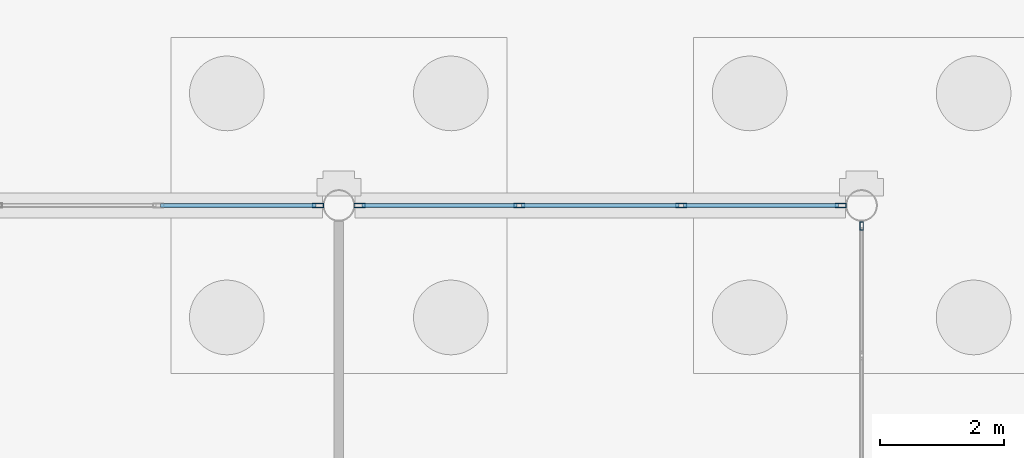
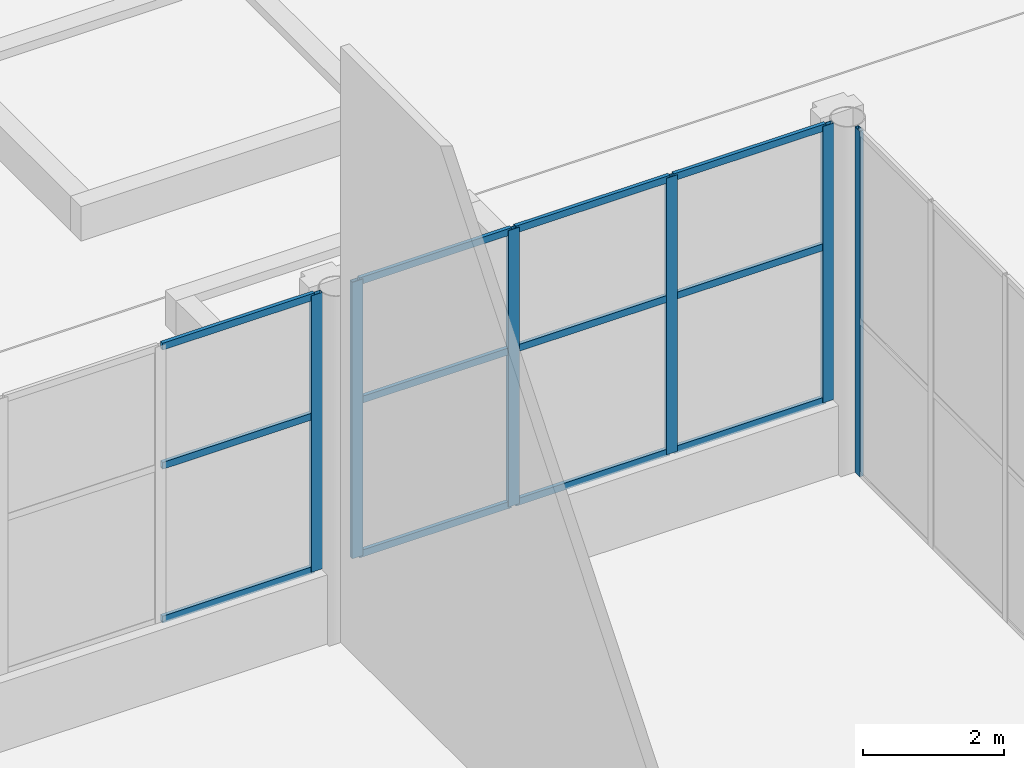
# One storey, part 155 of 212: 18 members, 3 elements without a shape of their own.
"""IFC4 building model written with IfcOpenShell, lengths in metres."""

from ifc_helpers import new_model, si_unit, direction, frame, origin, origin_2d, place, context, subcontext, project, spatial, hollow_rectangle, extrude, material, material_profile, profile_set, type_object, element, aggregate, save


model = new_model("IFC4")

# Units and contexts
model_context = context("Model", 3, precision=1e-05, world=origin(), true_north=direction((0.0, 1.0)))
body_context = subcontext(model_context, "Body", "Model", "MODEL_VIEW")
ifc_project = project(units=[si_unit("LENGTHUNIT", "METRE"), si_unit("AREAUNIT", "SQUARE_METRE"), si_unit("VOLUMEUNIT", "CUBIC_METRE"), si_unit("PLANEANGLEUNIT", "RADIAN"), si_unit("MASSUNIT", "GRAM", prefix="KILO")], contexts=[model_context])

# Site, building, storey
site_placement = place(None, origin())
site = spatial("IfcSite", under=ifc_project, at=site_placement, CompositionType="ELEMENT")
building_placement = place(site_placement, origin())
building = spatial("IfcBuilding", under=site, at=building_placement, Name="Catenary Quay Ferry Terminal", CompositionType="ELEMENT")
storey_placement = place(building_placement, origin())
storey = spatial("IfcBuildingStorey", under=building, at=storey_placement, Name="L00", CompositionType="ELEMENT", Elevation=0.0)

# Curtain wall, member
ifc_material_1 = material(Name="Aluminium and glass", Category="aluminium")
curtain_wall_type_1 = type_object("IfcCurtainWallType", Name="CWG", PredefinedType="NOTDEFINED", material=ifc_material_1)
curtain_wall_1_placement = place(storey_placement, origin())
curtain_wall_1 = element("IfcCurtainWall", 1, at=curtain_wall_1_placement, inside=storey, type_object=curtain_wall_type_1, Name="Gable departure hall curtain wall CW19", PredefinedType="NOTDEFINED")
ifc_material_2 = material(Name="Aluminium", Category="aluminium")
ifc_material_profile_1 = material_profile(ifc_material_2, hollow_rectangle(XDim=0.06005859375, YDim=0.139892578125, WallThickness=0.006103515625, at=origin_2d()), Name="MU2")
ifc_profile_set_1 = profile_set([ifc_material_profile_1], Name="Aluminium")
member_type_1 = type_object("IfcMemberType", Name="MU2", PredefinedType="MULLION", material=ifc_profile_set_1)
member_1_placement = place(storey_placement, frame((92.39990234375, 142.469970703125, 0.0), z_axis=(0.0, 0.0, 1.0), x_axis=(-1.0, 0.0, 0.0)))
member_1 = element("IfcMember", 2, at=member_1_placement, type_object=member_type_1, Name="CW19 mullion 13", PredefinedType="MULLION", context=body_context, shape_type="SweptSolid", body=[
    extrude(hollow_rectangle(XDim=0.06005859375, YDim=0.139892578125, WallThickness=0.006103515625, at=origin_2d()), origin(), (0.0, 0.0, 1.0), 6.0),
])
aggregate(curtain_wall_1, [member_1])

ifc_material_3 = material(Name="Aluminium and glass", Category="aluminium")
curtain_wall_type_2 = type_object("IfcCurtainWallType", Name="CWH", PredefinedType="NOTDEFINED", material=ifc_material_3)
curtain_wall_2_placement = place(storey_placement, origin())
curtain_wall_2 = element("IfcCurtainWall", 3, at=curtain_wall_2_placement, inside=storey, type_object=curtain_wall_type_2, Name="Hall curtain wall CW46", PredefinedType="NOTDEFINED")
ifc_material_4 = material(Name="Aluminium", Category="aluminium")
ifc_material_profile_2 = material_profile(ifc_material_4, hollow_rectangle(XDim=0.070068359375, YDim=0.179931640625, WallThickness=0.006103515625, at=origin_2d()), Name="MU3")
ifc_profile_set_2 = profile_set([ifc_material_profile_2], Name="Aluminium")
member_type_2 = type_object("IfcMemberType", Name="MU3", PredefinedType="MULLION", material=ifc_profile_set_2)
member_2_placement = place(storey_placement, frame((83.6650390625, 142.800048828125, 1.199951171875), z_axis=(0.0, 0.0, 1.0), x_axis=(0.0, 1.0, 0.0)))
member_2 = element("IfcMember", 4, at=member_2_placement, type_object=member_type_2, Name="CW46 mullion 4", PredefinedType="MULLION", context=body_context, shape_type="SweptSolid", body=[
    extrude(hollow_rectangle(XDim=0.070068359375, YDim=0.179931640625, WallThickness=0.006103515625, at=origin_2d()), origin(), (0.0, 0.0, 1.0), 4.800048828125),
])

# Curtain wall, members
curtain_wall_3_placement = place(storey_placement, origin())
curtain_wall_3 = element("IfcCurtainWall", 5, at=curtain_wall_3_placement, inside=storey, type_object=curtain_wall_type_2, Name="Hall curtain wall CW47", PredefinedType="NOTDEFINED")
member_3_placement = place(storey_placement, frame((84.3349609375, 142.800048828125, 1.199951171875), z_axis=(0.0, 0.0, 1.0), x_axis=(0.0, 1.0, 0.0)))
member_3 = element("IfcMember", 6, at=member_3_placement, type_object=member_type_2, Name="CW47 mullion 1", PredefinedType="MULLION", context=body_context, shape_type="SweptSolid", body=[
    extrude(hollow_rectangle(XDim=0.070068359375, YDim=0.179931640625, WallThickness=0.006103515625, at=origin_2d()), origin(), (0.0, 0.0, 1.0), 4.800048828125),
])
member_4_placement = place(storey_placement, frame((86.89990234375, 142.800048828125, 1.199951171875), z_axis=(0.0, 0.0, 1.0), x_axis=(0.0, 1.0, 0.0)))
member_4 = element("IfcMember", 7, at=member_4_placement, type_object=member_type_2, Name="CW47 mullion 2", PredefinedType="MULLION", context=body_context, shape_type="SweptSolid", body=[
    extrude(hollow_rectangle(XDim=0.070068359375, YDim=0.179931640625, WallThickness=0.006103515625, at=origin_2d()), origin(), (0.0, 0.0, 1.0), 4.800048828125),
])
member_5_placement = place(storey_placement, frame((89.5, 142.800048828125, 1.199951171875), z_axis=(0.0, 0.0, 1.0), x_axis=(0.0, 1.0, 0.0)))
member_5 = element("IfcMember", 8, at=member_5_placement, type_object=member_type_2, Name="CW47 mullion 3", PredefinedType="MULLION", context=body_context, shape_type="SweptSolid", body=[
    extrude(hollow_rectangle(XDim=0.070068359375, YDim=0.179931640625, WallThickness=0.006103515625, at=origin_2d()), origin(), (0.0, 0.0, 1.0), 4.800048828125),
])
member_6_placement = place(storey_placement, frame((92.06494140625, 142.800048828125, 1.199951171875), z_axis=(0.0, 0.0, 1.0), x_axis=(0.0, 1.0, 0.0)))
member_6 = element("IfcMember", 9, at=member_6_placement, type_object=member_type_2, Name="CW47 mullion 4", PredefinedType="MULLION", context=body_context, shape_type="SweptSolid", body=[
    extrude(hollow_rectangle(XDim=0.070068359375, YDim=0.179931640625, WallThickness=0.006103515625, at=origin_2d()), origin(), (0.0, 0.0, 1.0), 4.800048828125),
])

# Member
ifc_material_5 = material(Name="Aluminium", Category="aluminium")
ifc_material_profile_3 = material_profile(ifc_material_5, hollow_rectangle(XDim=0.06005859375, YDim=0.1201171875, WallThickness=0.0048828125, at=origin_2d()), Name="TR3")
ifc_profile_set_3 = profile_set([ifc_material_profile_3], Name="Aluminium")
member_type_3 = type_object("IfcMemberType", Name="TR3", PredefinedType="USERDEFINED", material=ifc_profile_set_3)
member_7_placement = place(storey_placement, frame((81.135009765625, 142.800048828125, 1.22998046875), z_axis=(1.0, 0.0, 0.0), x_axis=(0.0, 1.0, 0.0)))
member_7 = element("IfcMember", 10, at=member_7_placement, type_object=member_type_3, Name="CW46 transom 3.1", ObjectType="TRANSOM", PredefinedType="USERDEFINED", context=body_context, shape_type="SweptSolid", body=[
    extrude(hollow_rectangle(XDim=0.06005859375, YDim=0.1201171875, WallThickness=0.0048828125, at=origin_2d()), origin(), (0.0, 0.0, 1.0), 2.494873046875),
])

member_8_placement = place(storey_placement, frame((81.135009765625, 142.800048828125, 3.89990234375), z_axis=(1.0, 0.0, 0.0), x_axis=(0.0, 1.0, 0.0)))
member_8 = element("IfcMember", 11, at=member_8_placement, type_object=member_type_3, Name="CW46 transom 3.2", ObjectType="TRANSOM", PredefinedType="USERDEFINED", context=body_context, shape_type="SweptSolid", body=[
    extrude(hollow_rectangle(XDim=0.06005859375, YDim=0.1201171875, WallThickness=0.0048828125, at=origin_2d()), origin(), (0.0, 0.0, 1.0), 2.494873046875),
])

member_9_placement = place(storey_placement, frame((81.135009765625, 142.800048828125, 5.969970703125), z_axis=(1.0, 0.0, 0.0), x_axis=(0.0, 1.0, 0.0)))
member_9 = element("IfcMember", 12, at=member_9_placement, type_object=member_type_3, Name="CW46 transom 3.3", ObjectType="TRANSOM", PredefinedType="USERDEFINED", context=body_context, shape_type="SweptSolid", body=[
    extrude(hollow_rectangle(XDim=0.06005859375, YDim=0.1201171875, WallThickness=0.0048828125, at=origin_2d()), origin(), (0.0, 0.0, 1.0), 2.494873046875),
])

aggregate(curtain_wall_2, [member_2, member_7, member_8, member_9])

member_10_placement = place(storey_placement, frame((84.3701171875, 142.800048828125, 1.22998046875), z_axis=(1.0, 0.0, 0.0), x_axis=(0.0, 1.0, 0.0)))
member_10 = element("IfcMember", 13, at=member_10_placement, type_object=member_type_3, Name="CW47 transom 1.1", ObjectType="TRANSOM", PredefinedType="USERDEFINED", context=body_context, shape_type="SweptSolid", body=[
    extrude(hollow_rectangle(XDim=0.06005859375, YDim=0.1201171875, WallThickness=0.0048828125, at=origin_2d()), origin(), (0.0, 0.0, 1.0), 2.494873046875),
])

member_11_placement = place(storey_placement, frame((84.3701171875, 142.800048828125, 3.89990234375), z_axis=(1.0, 0.0, 0.0), x_axis=(0.0, 1.0, 0.0)))
member_11 = element("IfcMember", 14, at=member_11_placement, type_object=member_type_3, Name="CW47 transom 1.2", ObjectType="TRANSOM", PredefinedType="USERDEFINED", context=body_context, shape_type="SweptSolid", body=[
    extrude(hollow_rectangle(XDim=0.06005859375, YDim=0.1201171875, WallThickness=0.0048828125, at=origin_2d()), origin(), (0.0, 0.0, 1.0), 2.494873046875),
])

member_12_placement = place(storey_placement, frame((84.3701171875, 142.800048828125, 5.969970703125), z_axis=(1.0, 0.0, 0.0), x_axis=(0.0, 1.0, 0.0)))
member_12 = element("IfcMember", 15, at=member_12_placement, type_object=member_type_3, Name="CW47 transom 1.3", ObjectType="TRANSOM", PredefinedType="USERDEFINED", context=body_context, shape_type="SweptSolid", body=[
    extrude(hollow_rectangle(XDim=0.06005859375, YDim=0.1201171875, WallThickness=0.0048828125, at=origin_2d()), origin(), (0.0, 0.0, 1.0), 2.494873046875),
])

member_13_placement = place(storey_placement, frame((86.93505859375, 142.800048828125, 1.22998046875), z_axis=(1.0, 0.0, 0.0), x_axis=(0.0, 1.0, 0.0)))
member_13 = element("IfcMember", 16, at=member_13_placement, type_object=member_type_3, Name="CW47 transom 2.1", ObjectType="TRANSOM", PredefinedType="USERDEFINED", context=body_context, shape_type="SweptSolid", body=[
    extrude(hollow_rectangle(XDim=0.06005859375, YDim=0.1201171875, WallThickness=0.0048828125, at=origin_2d()), origin(), (0.0, 0.0, 1.0), 2.530029296875),
])

member_14_placement = place(storey_placement, frame((86.93505859375, 142.800048828125, 3.89990234375), z_axis=(1.0, 0.0, 0.0), x_axis=(0.0, 1.0, 0.0)))
member_14 = element("IfcMember", 17, at=member_14_placement, type_object=member_type_3, Name="CW47 transom 2.2", ObjectType="TRANSOM", PredefinedType="USERDEFINED", context=body_context, shape_type="SweptSolid", body=[
    extrude(hollow_rectangle(XDim=0.06005859375, YDim=0.1201171875, WallThickness=0.0048828125, at=origin_2d()), origin(), (0.0, 0.0, 1.0), 2.530029296875),
])

member_15_placement = place(storey_placement, frame((86.93505859375, 142.800048828125, 5.969970703125), z_axis=(1.0, 0.0, 0.0), x_axis=(0.0, 1.0, 0.0)))
member_15 = element("IfcMember", 18, at=member_15_placement, type_object=member_type_3, Name="CW47 transom 2.3", ObjectType="TRANSOM", PredefinedType="USERDEFINED", context=body_context, shape_type="SweptSolid", body=[
    extrude(hollow_rectangle(XDim=0.06005859375, YDim=0.1201171875, WallThickness=0.0048828125, at=origin_2d()), origin(), (0.0, 0.0, 1.0), 2.530029296875),
])

member_16_placement = place(storey_placement, frame((89.534912109375, 142.800048828125, 1.22998046875), z_axis=(1.0, 0.0, 0.0), x_axis=(0.0, 1.0, 0.0)))
member_16 = element("IfcMember", 19, at=member_16_placement, type_object=member_type_3, Name="CW47 transom 3.1", ObjectType="TRANSOM", PredefinedType="USERDEFINED", context=body_context, shape_type="SweptSolid", body=[
    extrude(hollow_rectangle(XDim=0.06005859375, YDim=0.1201171875, WallThickness=0.0048828125, at=origin_2d()), origin(), (0.0, 0.0, 1.0), 2.4951171875),
])

member_17_placement = place(storey_placement, frame((89.534912109375, 142.800048828125, 3.89990234375), z_axis=(1.0, 0.0, 0.0), x_axis=(0.0, 1.0, 0.0)))
member_17 = element("IfcMember", 20, at=member_17_placement, type_object=member_type_3, Name="CW47 transom 3.2", ObjectType="TRANSOM", PredefinedType="USERDEFINED", context=body_context, shape_type="SweptSolid", body=[
    extrude(hollow_rectangle(XDim=0.06005859375, YDim=0.1201171875, WallThickness=0.0048828125, at=origin_2d()), origin(), (0.0, 0.0, 1.0), 2.4951171875),
])

member_18_placement = place(storey_placement, frame((89.534912109375, 142.800048828125, 5.969970703125), z_axis=(1.0, 0.0, 0.0), x_axis=(0.0, 1.0, 0.0)))
member_18 = element("IfcMember", 21, at=member_18_placement, type_object=member_type_3, Name="CW47 transom 3.3", ObjectType="TRANSOM", PredefinedType="USERDEFINED", context=body_context, shape_type="SweptSolid", body=[
    extrude(hollow_rectangle(XDim=0.06005859375, YDim=0.1201171875, WallThickness=0.0048828125, at=origin_2d()), origin(), (0.0, 0.0, 1.0), 2.4951171875),
])

aggregate(curtain_wall_3, [member_3, member_4, member_5, member_6, member_10, member_11, member_12, member_13, member_14, member_15, member_16, member_17, member_18])

save(model, "model.ifc")
